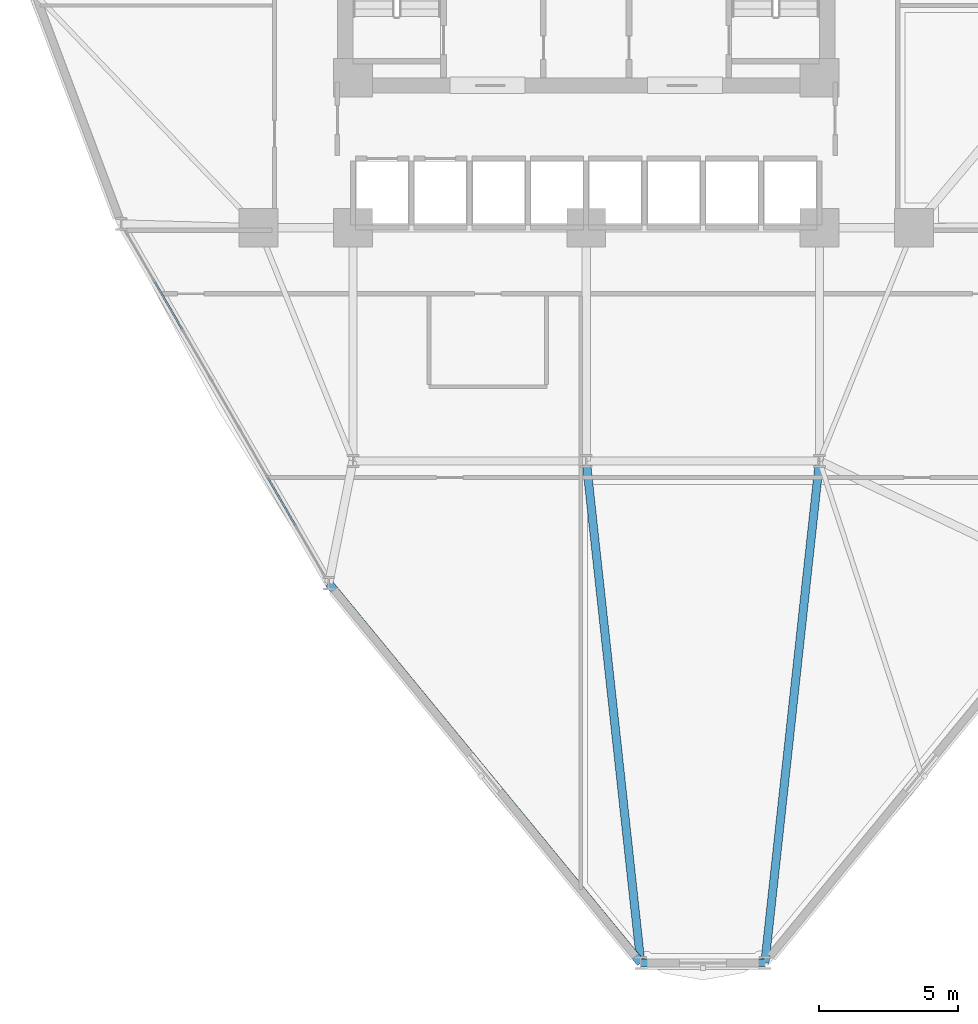
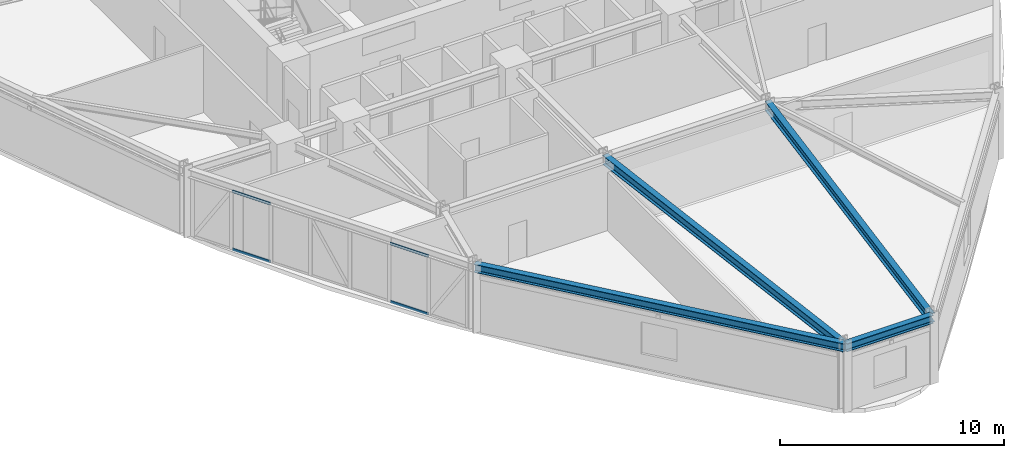
# One storey, part 3 of 20: 4 beams, 4 members, 1 element without a shape of its own.
"""IFC4 building model written with IfcOpenShell, lengths in metres."""

from ifc_helpers import new_model, si_unit, derived_unit, direction, frame, origin, origin_2d, place, context, subcontext, project, spatial, hollow_rectangle, i_section, extrude, source, transform, mapped, material, layer, layer_set, material_profile, profile_set, type_object, element, aggregate, save


model = new_model("IFC4")

# Units and contexts
model_context = context("Model", 3, precision=1e-05, world=origin(), true_north=direction((0.0, 1.0)))
body_context = subcontext(model_context, "Body", "Model", "MODEL_VIEW")
ifc_project = project(units=[si_unit("LENGTHUNIT", "METRE"), si_unit("AREAUNIT", "SQUARE_METRE"), si_unit("VOLUMEUNIT", "CUBIC_METRE"), si_unit("PLANEANGLEUNIT", "RADIAN"), si_unit("MASSUNIT", "GRAM", prefix="KILO"), derived_unit("THERMALTRANSMITTANCEUNIT", [(si_unit("POWERUNIT", "WATT"), 1), (si_unit("LENGTHUNIT", "METRE"), -2), (si_unit("THERMODYNAMICTEMPERATUREUNIT", "KELVIN"), -1)])], contexts=[model_context])

# Site, building, storey
site_placement = place(None, origin())
site = spatial("IfcSite", under=ifc_project, at=site_placement, CompositionType="ELEMENT")
building_placement = place(site_placement, origin())
building = spatial("IfcBuilding", under=site, at=building_placement, Name="Korsvarv Bourse and Concert Hall", CompositionType="ELEMENT")
storey_placement = place(building_placement, frame((0.0, 0.0, 79.5)))
storey = spatial("IfcBuildingStorey", under=building, at=storey_placement, Name="L19", CompositionType="ELEMENT", Elevation=79.5)

# Beams
ifc_material_1 = material(Name="Steel S355", Category="steel")
ifc_material_profile_1 = material_profile(ifc_material_1, i_section(OverallWidth=0.300048828125, OverallDepth=0.449951171875, WebThickness=0.013916015625, FlangeThickness=0.02587890625, FilletRadius=0.02099609375, at=origin_2d()), Name="HEB 450")
ifc_profile_set_1 = profile_set([ifc_material_profile_1], Name="Steel S355")
beam_type_1 = type_object("IfcBeamType", Name="BM-HEB450", PredefinedType="SPANDREL", material=ifc_profile_set_1)
shared_shape_1 = source(origin(), body_context, "Body", "SweptSolid", [
    extrude(i_section(OverallWidth=0.300048828125, OverallDepth=0.449951171875, WebThickness=0.013916015625, FlangeThickness=0.02587890625, FilletRadius=0.02099609375, at=origin_2d()), origin(), (0.0, 0.0, 1.0), 17.69775390625),
])
beam_1_placement = place(storey_placement, frame((26.728515625, 19.59814453125, 3.455078125), z_axis=(0.634956504164, -0.772547887073, 0.0), x_axis=(0.772547887073, 0.634956504164, 0.0)))
element("IfcBeam", 1, at=beam_1_placement, inside=storey, type_object=beam_type_1, Name="L19 beam B-08", PredefinedType="SPANDREL", context=body_context, shape_type="MappedRepresentation", body=[
    mapped(shared_shape_1, transform((0.0, 0.0, 0.0), scale=1.0)),
])
shared_shape_2 = source(origin(), body_context, "Body", "SweptSolid", [
    extrude(i_section(OverallWidth=0.300048828125, OverallDepth=0.449951171875, WebThickness=0.013916015625, FlangeThickness=0.02587890625, FilletRadius=0.02099609375, at=origin_2d()), origin(), (0.0, 0.0, 1.0), 4.46826171875),
])
beam_2_placement = place(storey_placement, frame((37.9658203125, 5.92578125, 3.455078125), z_axis=(1.0, 0.0, 0.0), x_axis=(0.0, 1.0, 0.0)))
element("IfcBeam", 2, at=beam_2_placement, inside=storey, type_object=beam_type_1, Name="L19 beam B-08", PredefinedType="SPANDREL", context=body_context, shape_type="MappedRepresentation", body=[
    mapped(shared_shape_2, transform((0.0, 0.0, 0.0), scale=1.0)),
])
ifc_material_profile_2 = material_profile(ifc_material_1, i_section(OverallWidth=0.300048828125, OverallDepth=0.5, WebThickness=0.014404296875, FlangeThickness=0.028076171875, FilletRadius=0.02392578125, at=origin_2d()), Name="HEB 500")
ifc_profile_set_2 = profile_set([ifc_material_profile_2], Name="Steel S355")
beam_type_2 = type_object("IfcBeamType", Name="BM-HEB500", PredefinedType="BEAM", material=ifc_profile_set_2)
shared_shape_3 = source(origin(), body_context, "Body", "SweptSolid", [
    extrude(i_section(OverallWidth=0.300048828125, OverallDepth=0.5, WebThickness=0.014404296875, FlangeThickness=0.028076171875, FilletRadius=0.02392578125, at=origin_2d()), origin(), (0.0, 0.0, 1.0), 18.180908203125),
])
for number, where, z_axis, x_axis, name in (
    (3, (37.9658203125, 5.92578125, 3.429931640625), (-0.108126115942, 0.994137185227, 0.0), (-0.994137185227, -0.108126115942, 0.0), "L19 beam B-07"),
    (4, (42.43408203125, 5.92578125, 3.429931640625), (0.108126115942, 0.994137185227, 0.0), (-0.994137185227, 0.108126115942, 0.0), "L19 beam B-07"),
):
    element("IfcBeam", number, at=place(storey_placement, frame(where, z_axis=z_axis, x_axis=x_axis)), inside=storey, type_object=beam_type_2, Name=name, PredefinedType="BEAM", context=body_context, shape_type="MappedRepresentation", body=[
        mapped(shared_shape_3, transform((0.0, 0.0, 0.0), scale=1.0)),
    ])

# Curtain wall, members
ifc_material_2 = material(Name="Anodised aluminium and triple low-E glazing", Category="glass")
ifc_layer = layer(ifc_material_2, 0.219970703125)
ifc_layer_set = layer_set([ifc_layer], Name="Anodised aluminium and triple low-E glazing")
curtain_wall_type = type_object("IfcCurtainWallType", Name="CW-SYS-1", PredefinedType="NOTDEFINED", material=ifc_layer_set)
curtain_wall_placement = place(storey_placement, origin())
curtain_wall = element("IfcCurtainWall", 5, at=curtain_wall_placement, inside=storey, type_object=curtain_wall_type, Name="L19 CW1 curtain wall CW-L19-F07", PredefinedType="NOTDEFINED")
ifc_material_3 = material(Name="Extruded aluminium EN AW-6063 T66", Category="aluminium")
ifc_material_profile_3 = material_profile(ifc_material_3, hollow_rectangle(XDim=0.06494140625, YDim=0.139892578125, WallThickness=0.00390625, at=origin_2d()), Name="ALU-T 65x140")
ifc_profile_set_3 = profile_set([ifc_material_profile_3], Name="Extruded aluminium EN AW-6063 T66")
member_type = type_object("IfcMemberType", Name="CWT-140", PredefinedType="USERDEFINED", material=ifc_profile_set_3)
shared_shape_4 = source(origin(), body_context, "Body", "SweptSolid", [
    extrude(hollow_rectangle(XDim=0.06494140625, YDim=0.139892578125, WallThickness=0.00390625, at=origin_2d()), origin(), (0.0, 0.0, 1.0), 1.969482421875),
])
member_1_placement = place(storey_placement, frame((20.46240234375, 30.450927734375, 0.032470703125), z_axis=(0.499965693083, -0.866045209986, 0.0), x_axis=(0.866045209986, 0.499965693083, 0.0)))
member_1 = element("IfcMember", 6, at=member_1_placement, type_object=member_type, Name="CW1 transom 2.1", ObjectType="TRANSOM", PredefinedType="USERDEFINED", context=body_context, shape_type="MappedRepresentation", body=[
    mapped(shared_shape_4, transform((0.0, 0.0, 0.0), scale=1.0)),
])
member_2_placement = place(storey_placement, frame((20.46240234375, 30.450927734375, 3.197509765625), z_axis=(0.499965693083, -0.866045209986, 0.0), x_axis=(0.866045209986, 0.499965693083, 0.0)))
member_2 = element("IfcMember", 7, at=member_2_placement, type_object=member_type, Name="CW1 transom 2.2", ObjectType="TRANSOM", PredefinedType="USERDEFINED", context=body_context, shape_type="MappedRepresentation", body=[
    mapped(shared_shape_4, transform((0.0, 0.0, 0.0), scale=1.0)),
])
shared_shape_5 = source(origin(), body_context, "Body", "SweptSolid", [
    extrude(hollow_rectangle(XDim=0.06494140625, YDim=0.139892578125, WallThickness=0.00390625, at=origin_2d()), origin(), (0.0, 0.0, 1.0), 1.96923828125),
])
member_3_placement = place(storey_placement, frame((24.541015625, 23.38671875, 0.032470703125), z_axis=(0.500019375444, -0.866014217078, 0.0), x_axis=(0.866014217078, 0.500019375444, 0.0)))
member_3 = element("IfcMember", 8, at=member_3_placement, type_object=member_type, Name="CW1 transom 6.1", ObjectType="TRANSOM", PredefinedType="USERDEFINED", context=body_context, shape_type="MappedRepresentation", body=[
    mapped(shared_shape_5, transform((0.0, 0.0, 0.0), scale=1.0)),
])
member_4_placement = place(storey_placement, frame((24.541015625, 23.38671875, 3.197509765625), z_axis=(0.500019375444, -0.866014217078, 0.0), x_axis=(0.866014217078, 0.500019375444, 0.0)))
member_4 = element("IfcMember", 9, at=member_4_placement, type_object=member_type, Name="CW1 transom 6.2", ObjectType="TRANSOM", PredefinedType="USERDEFINED", context=body_context, shape_type="MappedRepresentation", body=[
    mapped(shared_shape_5, transform((0.0, 0.0, 0.0), scale=1.0)),
])
aggregate(curtain_wall, [member_1, member_2, member_3, member_4])

save(model, "model.ifc")
